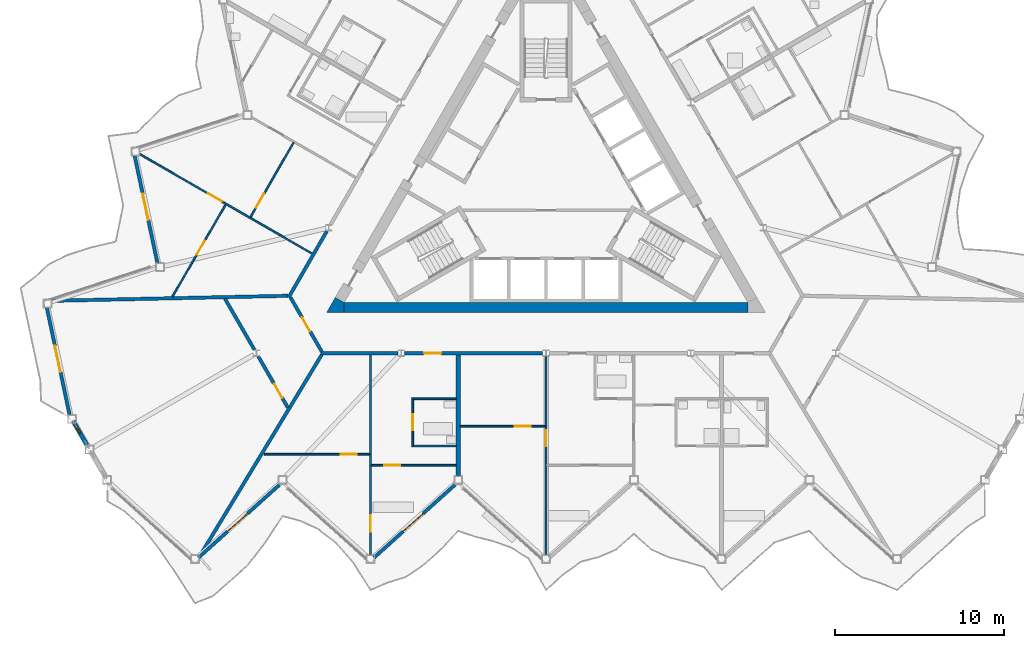
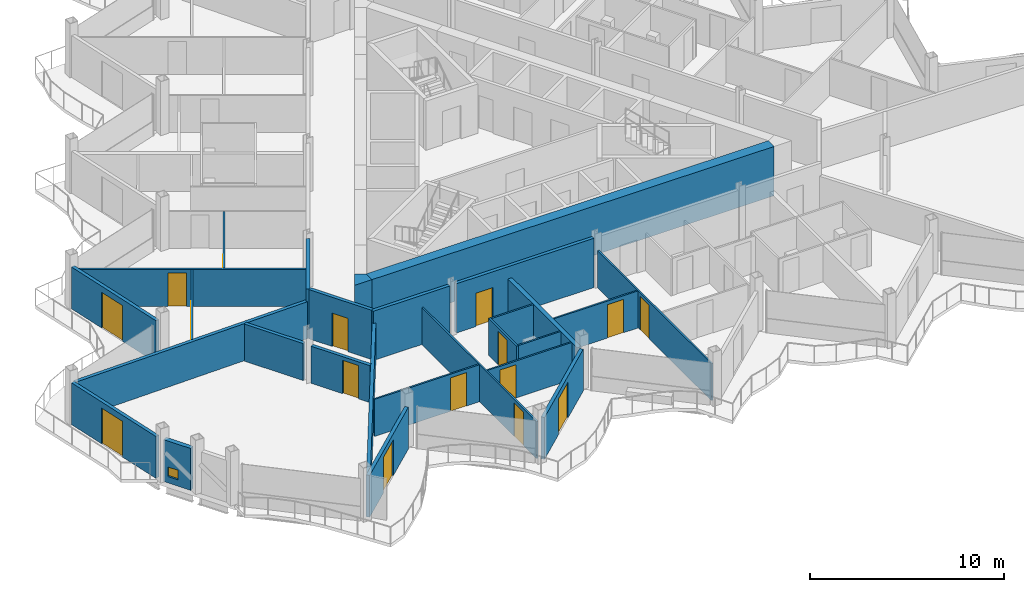
# One storey, part 12 of 25: 27 walls, 16 doors, 1 window, 17 openings.
"""IFC4 building model written with IfcOpenShell, lengths in metres."""

from ifc_helpers import new_model, si_unit, direction, frame, frame_2d, origin, place, context, subcontext, project, spatial, polyline, rectangle, outline, extrude, material, layer, layer_set, type_object, element, fill, save


model = new_model("IFC4")

# Units and contexts
model_context = context("Model", 3, precision=1e-05, world=origin(), true_north=direction((0.0, 1.0)))
body_context = subcontext(model_context, "Body", "Model", "MODEL_VIEW")
ifc_project = project(units=[si_unit("LENGTHUNIT", "METRE"), si_unit("AREAUNIT", "SQUARE_METRE"), si_unit("VOLUMEUNIT", "CUBIC_METRE"), si_unit("PLANEANGLEUNIT", "RADIAN"), si_unit("MASSUNIT", "GRAM", prefix="KILO")], contexts=[model_context])

# Site, building, storey
site_placement = place(None, origin())
site = spatial("IfcSite", under=ifc_project, at=site_placement, CompositionType="ELEMENT")
building_placement = place(site_placement, origin())
building = spatial("IfcBuilding", under=site, at=building_placement, Name="Cormorant Prow Tower", CompositionType="ELEMENT")
storey_placement = place(building_placement, frame((0.0, 0.0, 395.0)))
storey = spatial("IfcBuildingStorey", under=building, at=storey_placement, Name="L90", CompositionType="ELEMENT", Elevation=395.0)

# Walls
ifc_material_1 = material(Name="Concrete 8000 psi", Category="concrete")
ifc_layer_1 = layer(ifc_material_1, 0.60009765625)
ifc_layer_set_1 = layer_set([ifc_layer_1], Name="Concrete 8000 psi")
wall_type_1 = type_object("IfcWallType", Name="Core shear wall 600", PredefinedType="SHEAR", material=ifc_layer_set_1)
wall_1_placement = place(storey_placement, frame((-11.960693359375, -7.20556640625, 0.0), z_axis=(0.0, 0.0, 1.0), x_axis=(1.0, 0.0, 0.0)))
element("IfcWall", 1, at=wall_1_placement, inside=storey, type_object=wall_type_1, Name="Core wall", PredefinedType="SHEAR", context=body_context, shape_type="SweptSolid", body=[
    extrude(rectangle(XDim=23.92138671875, YDim=0.60009765625, at=frame_2d((11.960693359375, 0.0))), origin(), (0.0, 0.0, 1.0), 3.10009765625),
])
wall_2_placement = place(storey_placement, origin())
element("IfcWall", 2, at=wall_2_placement, inside=storey, type_object=wall_type_1, Name="Core wall corner", PredefinedType="SHEAR", context=body_context, shape_type="SweptSolid", body=[
    extrude(outline(polyline([(-12.48046875, -6.605712890625), (-11.960693359375, -6.905517578125), (-11.960693359375, -7.505615234375), (-13.0, -7.505615234375), (-12.48046875, -6.605712890625)])), origin(), (0.0, 0.0, 1.0), 3.10009765625),
])

# Wall, opening, door
ifc_material_2 = material(Name="Gypsum board corridor wall")
ifc_layer_2 = layer(ifc_material_2, 0.199951171875)
ifc_layer_set_2 = layer_set([ifc_layer_2], Name="Gypsum board corridor wall")
wall_type_2 = type_object("IfcWallType", Name="Corridor wall 200", PredefinedType="PARTITIONING", material=ifc_layer_set_2)
wall_3_placement = place(storey_placement, frame((-8.381591796875, -9.905517578125, 0.0), z_axis=(0.0, 0.0, 1.0), x_axis=(1.0, 0.0, 0.0)))
wall_3 = element("IfcWall", 3, at=wall_3_placement, inside=storey, type_object=wall_type_2, Name="Corridor wall", PredefinedType="PARTITIONING", context=body_context, shape_type="SweptSolid", body=[
    extrude(rectangle(XDim=8.1845703125, YDim=0.199951171875, at=frame_2d((4.09228515625, 0.0))), origin(), (0.0, 0.0, 1.0), 3.10009765625),
])
opening_1_placement = place(wall_3_placement, frame((1.16162109375, 0.0, 0.0)))
opening_1 = element("IfcOpeningElement", 4, at=opening_1_placement, cuts=wall_3, Name="Opening L90-F01", PredefinedType="OPENING", context=body_context, shape_type="SweptSolid", body=[
    extrude(rectangle(XDim=1.0, YDim=2.10009765625, at=frame_2d((0.5, 1.050048828125))), frame((0.0, 0.10986328125, 0.0), z_axis=(0.0, -1.0, 0.0), x_axis=(1.0, 0.0, 0.0)), (0.0, 0.0, 1.0), 0.219970703125),
])
ifc_material_3 = material(Name="Timber door leaf", Category="wood")
door_type_1 = type_object("IfcDoorType", Name="Flat or room entrance door 1000x2100", OperationType="NOTDEFINED", PredefinedType="DOOR", material=ifc_material_3)
door_1_placement = place(opening_1_placement, origin())
door_1 = element("IfcDoor", 5, at=door_1_placement, inside=storey, type_object=door_type_1, Name="Living room door", OperationType="SINGLE_SWING_RIGHT", OverallHeight=2.10009765625, OverallWidth=1.0, PredefinedType="DOOR", context=body_context, shape_type="SweptSolid", body=[
    extrude(rectangle(XDim=1.0, YDim=2.10009765625, at=frame_2d((0.5, 1.050048828125))), frame((0.0, 0.02490234375, 0.0), z_axis=(0.0, -1.0, 0.0), x_axis=(1.0, 0.0, 0.0)), (0.0, 0.0, 1.0), 0.050048828125),
])
fill(opening_1, door_1)

# Walls
wall_4_placement = place(storey_placement, frame((-13.330810546875, -9.905517578125, 0.0), z_axis=(0.0, 0.0, 1.0), x_axis=(1.0, 0.0, 0.0)))
element("IfcWall", 6, at=wall_4_placement, inside=storey, type_object=wall_type_2, Name="Corridor wall", PredefinedType="PARTITIONING", context=body_context, shape_type="SweptSolid", body=[
    extrude(rectangle(XDim=4.555419921875, YDim=0.199951171875, at=frame_2d((2.27783203125, 0.0))), origin(), (0.0, 0.0, 1.0), 3.10009765625),
])
wall_5_placement = place(storey_placement, frame((-15.243896484375, -6.59228515625, 0.0), z_axis=(0.0, 0.0, 1.0), x_axis=(0.499974648164, 0.866040040179, 0.0)))
element("IfcWall", 7, at=wall_5_placement, inside=storey, type_object=wall_type_2, Name="Corridor wall", PredefinedType="PARTITIONING", context=body_context, shape_type="SweptSolid", body=[
    extrude(rectangle(XDim=4.525146484375, YDim=0.199951171875, at=frame_2d((2.2626953125, 0.0))), origin(), (0.0, 0.0, 1.0), 3.10009765625),
])

# Wall, opening, door
wall_6_placement = place(storey_placement, frame((-15.143798828125, -6.59228515625, 0.0), z_axis=(0.0, 0.0, 1.0), x_axis=(0.499958791762, -0.866049194065, 0.0)))
wall_6 = element("IfcWall", 8, at=wall_6_placement, inside=storey, type_object=wall_type_2, Name="Corridor wall", PredefinedType="PARTITIONING", context=body_context, shape_type="SweptSolid", body=[
    extrude(rectangle(XDim=3.725830078125, YDim=0.199951171875, at=frame_2d((1.86279296875, 0.0))), origin(), (0.0, 0.0, 1.0), 3.10009765625),
])
opening_2_placement = place(wall_6_placement, frame((1.387939453125, 0.0, 0.0)))
opening_2 = element("IfcOpeningElement", 9, at=opening_2_placement, cuts=wall_6, Name="Opening L90-F50", PredefinedType="OPENING", context=body_context, shape_type="SweptSolid", body=[
    extrude(rectangle(XDim=0.949951171875, YDim=2.10009765625, at=frame_2d((0.47509765625, 1.050048828125))), frame((0.0, 0.10986328125, 0.0), z_axis=(0.0, -1.0, 0.0), x_axis=(1.0, 0.0, 0.0)), (0.0, 0.0, 1.0), 0.219970703125),
])
ifc_material_4 = material(Name="Timber door leaf", Category="wood")
door_type_2 = type_object("IfcDoorType", Name="Store door 950x2100", OperationType="NOTDEFINED", PredefinedType="DOOR", material=ifc_material_4)
door_2_placement = place(opening_2_placement, origin())
door_2 = element("IfcDoor", 10, at=door_2_placement, inside=storey, type_object=door_type_2, Name="Refuse room door", OperationType="SINGLE_SWING_LEFT", OverallHeight=2.10009765625, OverallWidth=0.949951171875, PredefinedType="DOOR", context=body_context, shape_type="SweptSolid", body=[
    extrude(rectangle(XDim=0.949951171875, YDim=2.10009765625, at=frame_2d((0.47509765625, 1.050048828125))), frame((0.0, 0.02490234375, 0.0), z_axis=(0.0, -1.0, 0.0), x_axis=(1.0, 0.0, 0.0)), (0.0, 0.0, 1.0), 0.050048828125),
])
fill(opening_2, door_2)

# Walls
ifc_material_5 = material(Name="Gypsum board demising wall")
ifc_layer_3 = layer(ifc_material_5, 0.199951171875)
ifc_layer_set_3 = layer_set([ifc_layer_3], Name="Gypsum board demising wall")
wall_type_3 = type_object("IfcWallType", Name="Demising wall 200", PredefinedType="PARTITIONING", material=ifc_layer_set_3)
wall_7_placement = place(storey_placement, frame((-20.353515625, -21.659912109375, 0.0), z_axis=(0.0, 0.0, 1.0), x_axis=(0.518240642668, 0.85523484277, 0.0)))
element("IfcWall", 11, at=wall_7_placement, inside=storey, type_object=wall_type_3, Name="Demising wall", PredefinedType="PARTITIONING", context=body_context, shape_type="SweptSolid", body=[
    extrude(rectangle(XDim=13.643798828125, YDim=0.199951171875, at=frame_2d((6.82177734375, 0.0))), origin(), (0.0, 0.0, 1.0), 2.330078125),
])
wall_8_placement = place(storey_placement, frame((-29.2685546875, -6.8037109375, 0.0), z_axis=(0.0, 0.0, 1.0), x_axis=(0.999775536303, 0.021186717777, 0.0)))
element("IfcWall", 12, at=wall_8_placement, inside=storey, type_object=wall_type_3, Name="Demising wall", PredefinedType="PARTITIONING", context=body_context, shape_type="SweptSolid", body=[
    extrude(rectangle(XDim=13.977783203125, YDim=0.199951171875, at=frame_2d((6.98876953125, 0.0))), origin(), (0.0, 0.0, 1.0), 2.330078125),
])

# Wall, opening, door
wall_9_placement = place(storey_placement, frame((-17.043212890625, -10.1025390625, 0.0), z_axis=(0.0, 0.0, 1.0), x_axis=(0.500005931509, -0.866021979199, 0.0)))
wall_9 = element("IfcWall", 13, at=wall_9_placement, inside=storey, type_object=wall_type_3, Name="Demising wall", PredefinedType="PARTITIONING", context=body_context, shape_type="SweptSolid", body=[
    extrude(rectangle(XDim=3.50390625, YDim=0.199951171875, at=frame_2d((1.751953125, 0.0))), origin(), (0.0, 0.0, 1.0), 2.330078125),
])
opening_3_placement = place(wall_9_placement, frame((1.89306640625, 0.0, 0.0)))
opening_3 = element("IfcOpeningElement", 14, at=opening_3_placement, cuts=wall_9, Name="Opening L90-F51", PredefinedType="OPENING", context=body_context, shape_type="SweptSolid", body=[
    extrude(rectangle(XDim=0.949951171875, YDim=2.10009765625, at=frame_2d((0.47509765625, 1.050048828125))), frame((0.0, 0.10986328125, 0.0), z_axis=(0.0, -1.0, 0.0), x_axis=(1.0, 0.0, 0.0)), (0.0, 0.0, 1.0), 0.219970703125),
])
door_3_placement = place(opening_3_placement, origin())
door_3 = element("IfcDoor", 15, at=door_3_placement, inside=storey, type_object=door_type_2, Name="Bicycle store door", OperationType="SINGLE_SWING_RIGHT", OverallHeight=2.10009765625, OverallWidth=0.949951171875, PredefinedType="DOOR", context=body_context, shape_type="SweptSolid", body=[
    extrude(rectangle(XDim=0.949951171875, YDim=2.10009765625, at=frame_2d((0.47509765625, 1.050048828125))), frame((0.0, 0.02490234375, 0.0), z_axis=(0.0, -1.0, 0.0), x_axis=(1.0, 0.0, 0.0)), (0.0, 0.0, 1.0), 0.050048828125),
])
fill(opening_3, door_3)

# Wall
wall_10_placement = place(storey_placement, frame((-19.0224609375, -6.67431640625, 0.0), z_axis=(0.0, 0.0, 1.0), x_axis=(0.499983843005, -0.866034731829, 0.0)))
element("IfcWall", 16, at=wall_10_placement, inside=storey, type_object=wall_type_3, Name="Demising wall", PredefinedType="PARTITIONING", context=body_context, shape_type="SweptSolid", body=[
    extrude(rectangle(XDim=3.50341796875, YDim=0.199951171875, at=frame_2d((1.751708984375, 0.0))), origin(), (0.0, 0.0, 1.0), 2.330078125),
])

# Wall, opening, door
ifc_material_6 = material(Name="Gypsum board partition")
ifc_layer_4 = layer(ifc_material_6, 0.10009765625)
ifc_layer_set_4 = layer_set([ifc_layer_4], Name="Gypsum board partition")
wall_type_4 = type_object("IfcWallType", Name="Internal partition 100", PredefinedType="PARTITIONING", material=ifc_layer_set_4)
wall_11_placement = place(storey_placement, frame((-10.39990234375, -21.827880859375, 0.0), z_axis=(0.0, 0.0, 1.0), x_axis=(0.0, 1.0, 0.0)))
wall_11 = element("IfcWall", 17, at=wall_11_placement, inside=storey, type_object=wall_type_4, Name="Internal partition", PredefinedType="PARTITIONING", context=body_context, shape_type="SweptSolid", body=[
    extrude(rectangle(XDim=11.822265625, YDim=0.10009765625, at=frame_2d((5.9111328125, 0.0))), origin(), (0.0, 0.0, 1.0), 2.330078125),
])
opening_4_placement = place(wall_11_placement, frame((1.357666015625, 0.0, 0.0)))
opening_4 = element("IfcOpeningElement", 18, at=opening_4_placement, cuts=wall_11, Name="Opening L90-F04", PredefinedType="OPENING", context=body_context, shape_type="SweptSolid", body=[
    extrude(rectangle(XDim=0.949951171875, YDim=2.10009765625, at=frame_2d((0.47509765625, 1.050048828125))), frame((0.0, 0.06005859375, 0.0), z_axis=(0.0, -1.0, 0.0), x_axis=(1.0, 0.0, 0.0)), (0.0, 0.0, 1.0), 0.1201171875),
])
ifc_material_7 = material(Name="Timber door leaf", Category="wood")
door_type_3 = type_object("IfcDoorType", Name="Bathroom door 950x2100", OperationType="NOTDEFINED", PredefinedType="DOOR", material=ifc_material_7)
door_4_placement = place(opening_4_placement, origin())
door_4 = element("IfcDoor", 19, at=door_4_placement, inside=storey, type_object=door_type_3, Name="Kitchen door", OperationType="SINGLE_SWING_LEFT", OverallHeight=2.10009765625, OverallWidth=0.949951171875, PredefinedType="DOOR", context=body_context, shape_type="SweptSolid", body=[
    extrude(rectangle(XDim=0.949951171875, YDim=2.10009765625, at=frame_2d((0.47509765625, 1.050048828125))), frame((0.0, 0.02490234375, 0.0), z_axis=(0.0, -1.0, 0.0), x_axis=(1.0, 0.0, 0.0)), (0.0, 0.0, 1.0), 0.050048828125),
])
fill(opening_4, door_4)

wall_12_placement = place(storey_placement, frame((-24.068603515625, 1.88720703125, 0.0), z_axis=(0.0, 0.0, 1.0), x_axis=(0.866023404247, -0.500003463284, 0.0)))
wall_12 = element("IfcWall", 20, at=wall_12_placement, inside=storey, type_object=wall_type_4, Name="Internal partition", PredefinedType="PARTITIONING", context=body_context, shape_type="SweptSolid", body=[
    extrude(rectangle(XDim=11.7822265625, YDim=0.10009765625, at=frame_2d((5.89111328125, 0.0))), origin(), (0.0, 0.0, 1.0), 2.330078125),
])
opening_5_placement = place(wall_12_placement, frame((4.66357421875, 0.0, 0.0)))
opening_5 = element("IfcOpeningElement", 21, at=opening_5_placement, cuts=wall_12, Name="Opening L90-F47", PredefinedType="OPENING", context=body_context, shape_type="SweptSolid", body=[
    extrude(rectangle(XDim=0.949951171875, YDim=2.10009765625, at=frame_2d((0.47509765625, 1.050048828125))), frame((0.0, 0.06005859375, 0.0), z_axis=(0.0, -1.0, 0.0), x_axis=(1.0, 0.0, 0.0)), (0.0, 0.0, 1.0), 0.1201171875),
])
door_5_placement = place(opening_5_placement, origin())
door_5 = element("IfcDoor", 22, at=door_5_placement, inside=storey, type_object=door_type_3, Name="Bedroom door", OperationType="SINGLE_SWING_RIGHT", OverallHeight=2.10009765625, OverallWidth=0.949951171875, PredefinedType="DOOR", context=body_context, shape_type="SweptSolid", body=[
    extrude(rectangle(XDim=0.949951171875, YDim=2.10009765625, at=frame_2d((0.47509765625, 1.050048828125))), frame((0.0, 0.02490234375, 0.0), z_axis=(0.0, -1.0, 0.0), x_axis=(1.0, 0.0, 0.0)), (0.0, 0.0, 1.0), 0.050048828125),
])
fill(opening_5, door_5)

wall_13_placement = place(storey_placement, frame((0.0, -21.827880859375, 0.0), z_axis=(0.0, 0.0, 1.0), x_axis=(0.0, 1.0, 0.0)))
wall_13 = element("IfcWall", 23, at=wall_13_placement, inside=storey, type_object=wall_type_4, Name="Internal partition", PredefinedType="PARTITIONING", context=body_context, shape_type="SweptSolid", body=[
    extrude(rectangle(XDim=11.725341796875, YDim=0.10009765625, at=frame_2d((5.86279296875, 0.0))), origin(), (0.0, 0.0, 1.0), 2.330078125),
])
opening_6_placement = place(wall_13_placement, frame((6.39501953125, 0.0, 0.0)))
opening_6 = element("IfcOpeningElement", 24, at=opening_6_placement, cuts=wall_13, Name="Opening L90-F09", PredefinedType="OPENING", context=body_context, shape_type="SweptSolid", body=[
    extrude(rectangle(XDim=0.949951171875, YDim=2.10009765625, at=frame_2d((0.47509765625, 1.050048828125))), frame((0.0, 0.06005859375, 0.0), z_axis=(0.0, -1.0, 0.0), x_axis=(1.0, 0.0, 0.0)), (0.0, 0.0, 1.0), 0.1201171875),
])
door_6_placement = place(opening_6_placement, origin())
door_6 = element("IfcDoor", 25, at=door_6_placement, inside=storey, type_object=door_type_3, Name="Living room door", OperationType="SINGLE_SWING_RIGHT", OverallHeight=2.10009765625, OverallWidth=0.949951171875, PredefinedType="DOOR", context=body_context, shape_type="SweptSolid", body=[
    extrude(rectangle(XDim=0.949951171875, YDim=2.10009765625, at=frame_2d((0.47509765625, 1.050048828125))), frame((0.0, 0.02490234375, 0.0), z_axis=(0.0, -1.0, 0.0), x_axis=(1.0, 0.0, 0.0)), (0.0, 0.0, 1.0), 0.050048828125),
])
fill(opening_6, door_6)

wall_14_placement = place(storey_placement, frame((-22.135986328125, -6.56689453125, 0.0), z_axis=(0.0, 0.0, 1.0), x_axis=(0.500016298831, 0.866015993445, 0.0)))
wall_14 = element("IfcWall", 26, at=wall_14_placement, inside=storey, type_object=wall_type_4, Name="Internal partition", PredefinedType="PARTITIONING", context=body_context, shape_type="SweptSolid", body=[
    extrude(rectangle(XDim=6.304931640625, YDim=0.10009765625, at=frame_2d((3.15234375, 0.0))), origin(), (0.0, 0.0, 1.0), 2.330078125),
])
opening_7_placement = place(wall_14_placement, frame((2.8798828125, 0.0, 0.0)))
opening_7 = element("IfcOpeningElement", 27, at=opening_7_placement, cuts=wall_14, Name="Opening L90-F48", PredefinedType="OPENING", context=body_context, shape_type="SweptSolid", body=[
    extrude(rectangle(XDim=0.949951171875, YDim=2.10009765625, at=frame_2d((0.47509765625, 1.050048828125))), frame((0.0, 0.06005859375, 0.0), z_axis=(0.0, -1.0, 0.0), x_axis=(1.0, 0.0, 0.0)), (0.0, 0.0, 1.0), 0.1201171875),
])
door_7_placement = place(opening_7_placement, origin())
door_7 = element("IfcDoor", 28, at=door_7_placement, inside=storey, type_object=door_type_3, Name="Bedroom door", OperationType="SINGLE_SWING_RIGHT", OverallHeight=2.10009765625, OverallWidth=0.949951171875, PredefinedType="DOOR", context=body_context, shape_type="SweptSolid", body=[
    extrude(rectangle(XDim=0.949951171875, YDim=2.10009765625, at=frame_2d((0.47509765625, 1.050048828125))), frame((0.0, 0.02490234375, 0.0), z_axis=(0.0, -1.0, 0.0), x_axis=(1.0, 0.0, 0.0)), (0.0, 0.0, 1.0), 0.050048828125),
])
fill(opening_7, door_7)

wall_15_placement = place(storey_placement, frame((-16.685302734375, -15.888671875, 0.0), z_axis=(0.0, 0.0, 1.0), x_axis=(1.0, 0.0, 0.0)))
wall_15 = element("IfcWall", 29, at=wall_15_placement, inside=storey, type_object=wall_type_4, Name="Internal partition", PredefinedType="PARTITIONING", context=body_context, shape_type="SweptSolid", body=[
    extrude(rectangle(XDim=6.2353515625, YDim=0.10009765625, at=frame_2d((3.11767578125, 0.0))), origin(), (0.0, 0.0, 1.0), 2.330078125),
])
opening_8_placement = place(wall_15_placement, frame((4.5263671875, 0.0, 0.0)))
opening_8 = element("IfcOpeningElement", 30, at=opening_8_placement, cuts=wall_15, Name="Opening L90-F05", PredefinedType="OPENING", context=body_context, shape_type="SweptSolid", body=[
    extrude(rectangle(XDim=0.949951171875, YDim=2.10009765625, at=frame_2d((0.47509765625, 1.050048828125))), frame((0.0, 0.06005859375, 0.0), z_axis=(0.0, -1.0, 0.0), x_axis=(1.0, 0.0, 0.0)), (0.0, 0.0, 1.0), 0.1201171875),
])
door_8_placement = place(opening_8_placement, origin())
door_8 = element("IfcDoor", 31, at=door_8_placement, inside=storey, type_object=door_type_3, Name="Bedroom door", OperationType="SINGLE_SWING_RIGHT", OverallHeight=2.10009765625, OverallWidth=0.949951171875, PredefinedType="DOOR", context=body_context, shape_type="SweptSolid", body=[
    extrude(rectangle(XDim=0.949951171875, YDim=2.10009765625, at=frame_2d((0.47509765625, 1.050048828125))), frame((0.0, 0.02490234375, 0.0), z_axis=(0.0, -1.0, 0.0), x_axis=(1.0, 0.0, 0.0)), (0.0, 0.0, 1.0), 0.050048828125),
])
fill(opening_8, door_8)

wall_16_placement = place(storey_placement, frame((-10.35009765625, -16.544189453125, 0.0), z_axis=(0.0, 0.0, 1.0), x_axis=(1.0, 0.0, 0.0)))
wall_16 = element("IfcWall", 32, at=wall_16_placement, inside=storey, type_object=wall_type_4, Name="Internal partition", PredefinedType="PARTITIONING", context=body_context, shape_type="SweptSolid", body=[
    extrude(rectangle(XDim=5.025146484375, YDim=0.10009765625, at=frame_2d((2.5126953125, 0.0))), origin(), (0.0, 0.0, 1.0), 2.330078125),
])
opening_9_placement = place(wall_16_placement, frame((0.7607421875, 0.0, 0.0)))
opening_9 = element("IfcOpeningElement", 33, at=opening_9_placement, cuts=wall_16, Name="Opening L90-F03", PredefinedType="OPENING", context=body_context, shape_type="SweptSolid", body=[
    extrude(rectangle(XDim=0.949951171875, YDim=2.10009765625, at=frame_2d((0.47509765625, 1.050048828125))), frame((0.0, 0.06005859375, 0.0), z_axis=(0.0, -1.0, 0.0), x_axis=(1.0, 0.0, 0.0)), (0.0, 0.0, 1.0), 0.1201171875),
])
door_9_placement = place(opening_9_placement, origin())
door_9 = element("IfcDoor", 34, at=door_9_placement, inside=storey, type_object=door_type_3, Name="Living room door", OperationType="SINGLE_SWING_LEFT", OverallHeight=2.10009765625, OverallWidth=0.949951171875, PredefinedType="DOOR", context=body_context, shape_type="SweptSolid", body=[
    extrude(rectangle(XDim=0.949951171875, YDim=2.10009765625, at=frame_2d((0.47509765625, 1.050048828125))), frame((0.0, 0.02490234375, 0.0), z_axis=(0.0, -1.0, 0.0), x_axis=(1.0, 0.0, 0.0)), (0.0, 0.0, 1.0), 0.050048828125),
])
fill(opening_9, door_9)

wall_17_placement = place(storey_placement, frame((-5.074951171875, -14.236572265625, 0.0), z_axis=(0.0, 0.0, 1.0), x_axis=(1.0, 0.0, 0.0)))
wall_17 = element("IfcWall", 35, at=wall_17_placement, inside=storey, type_object=wall_type_4, Name="Internal partition", PredefinedType="PARTITIONING", context=body_context, shape_type="SweptSolid", body=[
    extrude(rectangle(XDim=5.02490234375, YDim=0.10009765625, at=frame_2d((2.512451171875, 0.0))), origin(), (0.0, 0.0, 1.0), 2.330078125),
])
opening_10_placement = place(wall_17_placement, frame((3.212158203125, 0.0, 0.0)))
opening_10 = element("IfcOpeningElement", 36, at=opening_10_placement, cuts=wall_17, Name="Opening L90-F10", PredefinedType="OPENING", context=body_context, shape_type="SweptSolid", body=[
    extrude(rectangle(XDim=0.949951171875, YDim=2.10009765625, at=frame_2d((0.47509765625, 1.050048828125))), frame((0.0, 0.06005859375, 0.0), z_axis=(0.0, -1.0, 0.0), x_axis=(1.0, 0.0, 0.0)), (0.0, 0.0, 1.0), 0.1201171875),
])
door_10_placement = place(opening_10_placement, origin())
door_10 = element("IfcDoor", 37, at=door_10_placement, inside=storey, type_object=door_type_3, Name="Bedroom door", OperationType="SINGLE_SWING_RIGHT", OverallHeight=2.10009765625, OverallWidth=0.949951171875, PredefinedType="DOOR", context=body_context, shape_type="SweptSolid", body=[
    extrude(rectangle(XDim=0.949951171875, YDim=2.10009765625, at=frame_2d((0.47509765625, 1.050048828125))), frame((0.0, 0.02490234375, 0.0), z_axis=(0.0, -1.0, 0.0), x_axis=(1.0, 0.0, 0.0)), (0.0, 0.0, 1.0), 0.050048828125),
])
fill(opening_10, door_10)

wall_18_placement = place(storey_placement, frame((-17.50439453125, -1.84521484375, 0.0), z_axis=(0.0, 0.0, 1.0), x_axis=(0.499984882974, 0.866034131428, 0.0)))
wall_18 = element("IfcWall", 38, at=wall_18_placement, inside=storey, type_object=wall_type_4, Name="Internal partition", PredefinedType="PARTITIONING", context=body_context, shape_type="SweptSolid", body=[
    extrude(rectangle(XDim=5.100341796875, YDim=0.10009765625, at=frame_2d((2.55029296875, 0.0))), origin(), (0.0, 0.0, 1.0), 2.330078125),
])
opening_11_placement = place(wall_18_placement, frame((0.655517578125, 0.0, 0.0)))
opening_11 = element("IfcOpeningElement", 39, at=opening_11_placement, cuts=wall_18, Name="Opening L90-F46", PredefinedType="OPENING", context=body_context, shape_type="SweptSolid", body=[
    extrude(rectangle(XDim=0.949951171875, YDim=2.10009765625, at=frame_2d((0.47509765625, 1.050048828125))), frame((0.0, 0.06005859375, 0.0), z_axis=(0.0, -1.0, 0.0), x_axis=(1.0, 0.0, 0.0)), (0.0, 0.0, 1.0), 0.1201171875),
])
door_11_placement = place(opening_11_placement, origin())
door_11 = element("IfcDoor", 40, at=door_11_placement, inside=storey, type_object=door_type_3, Name="Bedroom door", OperationType="SINGLE_SWING_LEFT", OverallHeight=2.10009765625, OverallWidth=0.949951171875, PredefinedType="DOOR", context=body_context, shape_type="SweptSolid", body=[
    extrude(rectangle(XDim=0.949951171875, YDim=2.10009765625, at=frame_2d((0.47509765625, 1.050048828125))), frame((0.0, 0.02490234375, 0.0), z_axis=(0.0, -1.0, 0.0), x_axis=(1.0, 0.0, 0.0)), (0.0, 0.0, 1.0), 0.050048828125),
])
fill(opening_11, door_11)

wall_19_placement = place(storey_placement, frame((-7.89990234375, -15.45556640625, 0.0), z_axis=(0.0, 0.0, 1.0), x_axis=(0.0, 1.0, 0.0)))
wall_19 = element("IfcWall", 41, at=wall_19_placement, inside=storey, type_object=wall_type_4, Name="Internal partition", PredefinedType="PARTITIONING", context=body_context, shape_type="SweptSolid", body=[
    extrude(rectangle(XDim=2.89990234375, YDim=0.10009765625, at=frame_2d((1.449951171875, 0.0))), origin(), (0.0, 0.0, 1.0), 2.330078125),
])
opening_12_placement = place(wall_19_placement, frame((0.97509765625, 0.0, 0.0)))
opening_12 = element("IfcOpeningElement", 42, at=opening_12_placement, cuts=wall_19, Name="Opening L90-F02", PredefinedType="OPENING", context=body_context, shape_type="SweptSolid", body=[
    extrude(rectangle(XDim=0.949951171875, YDim=2.10009765625, at=frame_2d((0.47509765625, 1.050048828125))), frame((0.0, 0.06005859375, 0.0), z_axis=(0.0, -1.0, 0.0), x_axis=(1.0, 0.0, 0.0)), (0.0, 0.0, 1.0), 0.1201171875),
])
door_12_placement = place(opening_12_placement, origin())
door_12 = element("IfcDoor", 43, at=door_12_placement, inside=storey, type_object=door_type_3, Name="Living room door", OperationType="SINGLE_SWING_RIGHT", OverallHeight=2.10009765625, OverallWidth=0.949951171875, PredefinedType="DOOR", context=body_context, shape_type="SweptSolid", body=[
    extrude(rectangle(XDim=0.949951171875, YDim=2.10009765625, at=frame_2d((0.47509765625, 1.050048828125))), frame((0.0, 0.02490234375, 0.0), z_axis=(0.0, -1.0, 0.0), x_axis=(1.0, 0.0, 0.0)), (0.0, 0.0, 1.0), 0.050048828125),
])
fill(opening_12, door_12)

# Walls
for number, where, z_axis, x_axis, name in (
    (44, (-7.85009765625, -12.605712890625, 0.0), (0.0, 0.0, 1.0), (1.0, 0.0, 0.0), "Internal partition"),
    (45, (-7.85009765625, -15.405517578125, 0.0), (0.0, 0.0, 1.0), (1.0, 0.0, 0.0), "Internal partition"),
):
    element("IfcWall", number, at=place(storey_placement, frame(where, z_axis=z_axis, x_axis=x_axis)), inside=storey, type_object=wall_type_4, Name=name, PredefinedType="PARTITIONING", context=body_context, shape_type="SweptSolid", body=[
        extrude(rectangle(XDim=2.525146484375, YDim=0.10009765625, at=frame_2d((1.2626953125, 0.0))), origin(), (0.0, 0.0, 1.0), 2.330078125),
    ])
ifc_material_8 = material(Name="Acoustic gypsum party wall")
ifc_layer_5 = layer(ifc_material_8, 0.25)
ifc_layer_set_5 = layer_set([ifc_layer_5], Name="Acoustic gypsum party wall")
wall_type_5 = type_object("IfcWallType", Name="Suite party wall 250", PredefinedType="PARTITIONING", material=ifc_layer_set_5)
wall_20_placement = place(storey_placement, frame((-5.199951171875, -17.145751953125, 0.0), z_axis=(0.0, 0.0, 1.0), x_axis=(0.0, 1.0, 0.0)))
element("IfcWall", 46, at=wall_20_placement, inside=storey, type_object=wall_type_5, Name="Suite party wall", PredefinedType="PARTITIONING", context=body_context, shape_type="SweptSolid", body=[
    extrude(rectangle(XDim=7.14013671875, YDim=0.25, at=frame_2d((3.570068359375, 0.0))), origin(), (0.0, 0.0, 1.0), 2.330078125),
])

# Wall, opening, window
ifc_material_9 = material(Name="Terracotta", Category="masonry")
ifc_layer_6 = layer(ifc_material_9, 0.25)
ifc_layer_set_6 = layer_set([ifc_layer_6], Name="Terracotta")
wall_type_6 = type_object("IfcWallType", Name="Terracotta bay wall 250", PredefinedType="SOLIDWALL", material=ifc_layer_set_6)
wall_21_placement = place(storey_placement, frame((-28.0068359375, -13.938720703125, 0.0), z_axis=(0.0, 0.0, 1.0), x_axis=(0.499967189098, -0.866044346339, 0.0)))
wall_21 = element("IfcWall", 47, at=wall_21_placement, inside=storey, type_object=wall_type_6, Name="Terracotta bay wall WSW00", PredefinedType="SOLIDWALL", context=body_context, shape_type="SweptSolid", body=[
    extrude(rectangle(XDim=1.61181640625, YDim=0.25, at=frame_2d((0.805908203125, 0.0))), origin(), (0.0, 0.0, 1.0), 2.6337890625),
])
opening_13_placement = place(wall_21_placement, frame((0.25, 0.0, 0.39990234375)))
opening_13 = element("IfcOpeningElement", 48, at=opening_13_placement, cuts=wall_21, Name="Opening WN10", PredefinedType="OPENING", context=body_context, shape_type="SweptSolid", body=[
    extrude(rectangle(XDim=0.60009765625, YDim=0.60009765625, at=frame_2d((0.300048828125, 0.300048828125))), frame((0.0, 0.135009765625, 0.0), z_axis=(0.0, -1.0, 0.0), x_axis=(1.0, 0.0, 0.0)), (0.0, 0.0, 1.0), 0.27001953125),
])
ifc_material_10 = material(Name="Aluminium 6063-T6", Category="aluminium")
window_type = type_object("IfcWindowType", Name="Corner bay window 600x600", PartitioningType="SINGLE_PANEL", PredefinedType="WINDOW", material=ifc_material_10)
window_placement = place(opening_13_placement, origin())
window = element("IfcWindow", 49, at=window_placement, inside=storey, type_object=window_type, Name="Corner bay window WSW00", OverallHeight=0.60009765625, OverallWidth=0.60009765625, PartitioningType="SINGLE_PANEL", PredefinedType="WINDOW", context=body_context, shape_type="SweptSolid", body=[
    extrude(rectangle(XDim=0.60009765625, YDim=0.60009765625, at=frame_2d((0.300048828125, 0.300048828125))), frame((0.0, 0.030029296875, 0.0), z_axis=(0.0, -1.0, 0.0), x_axis=(1.0, 0.0, 0.0)), (0.0, 0.0, 1.0), 0.06005859375),
])
fill(opening_13, window)

# Wall, opening, door
ifc_material_11 = material(Name="Terracotta", Category="masonry")
ifc_layer_7 = layer(ifc_material_11, 0.199951171875)
ifc_layer_set_7 = layer_set([ifc_layer_7], Name="Terracotta")
wall_type_7 = type_object("IfcWallType", Name="Terracotta jamb wall 200", PredefinedType="SOLIDWALL", material=ifc_layer_set_7)
wall_22_placement = place(storey_placement, frame((-20.594970703125, -22.027587890625, 0.0), z_axis=(0.0, 0.0, 1.0), x_axis=(0.743153126052, 0.669121387522, 0.0)))
wall_22 = element("IfcWall", 50, at=wall_22_placement, inside=storey, type_object=wall_type_7, Name="Terracotta jamb wall S01", PredefinedType="SOLIDWALL", context=body_context, shape_type="SweptSolid", body=[
    extrude(rectangle(XDim=6.45703125, YDim=0.199951171875, at=frame_2d((3.228515625, 0.0))), origin(), (0.0, 0.0, 1.0), 2.6337890625),
])
opening_14_placement = place(wall_22_placement, frame((2.332763671875, 0.0, 0.0)))
opening_14 = element("IfcOpeningElement", 51, at=opening_14_placement, cuts=wall_22, Name="Opening ED90.01", PredefinedType="OPENING", context=body_context, shape_type="SweptSolid", body=[
    extrude(rectangle(XDim=1.60009765625, YDim=2.25, at=frame_2d((0.800048828125, 1.125))), frame((0.0, 0.10986328125, 0.0), z_axis=(0.0, -1.0, 0.0), x_axis=(1.0, 0.0, 0.0)), (0.0, 0.0, 1.0), 0.219970703125),
])
ifc_material_12 = material(Name="Aluminium 6063-T6", Category="aluminium")
door_type_4 = type_object("IfcDoorType", Name="Balcony door 1600x2250", OperationType="DOUBLE_DOOR_SINGLE_SWING", PredefinedType="DOOR", material=ifc_material_12)
door_13_placement = place(opening_14_placement, origin())
door_13 = element("IfcDoor", 52, at=door_13_placement, inside=storey, type_object=door_type_4, Name="Balcony door S01 ED90.01", OperationType="DOUBLE_DOOR_SINGLE_SWING", OverallHeight=2.25, OverallWidth=1.60009765625, PredefinedType="DOOR", context=body_context, shape_type="SweptSolid", body=[
    extrude(rectangle(XDim=1.60009765625, YDim=2.25, at=frame_2d((0.800048828125, 1.125))), frame((0.0, 0.02490234375, 0.0), z_axis=(0.0, -1.0, 0.0), x_axis=(1.0, 0.0, 0.0)), (0.0, 0.0, 1.0), 0.050048828125),
])
fill(opening_14, door_13)

wall_23_placement = place(storey_placement, frame((-10.19482421875, -22.027587890625, 0.0), z_axis=(0.0, 0.0, 1.0), x_axis=(0.743136196971, 0.669140189162, 0.0)))
wall_23 = element("IfcWall", 53, at=wall_23_placement, inside=storey, type_object=wall_type_7, Name="Terracotta jamb wall S03", PredefinedType="SOLIDWALL", context=body_context, shape_type="SweptSolid", body=[
    extrude(rectangle(XDim=6.456787109375, YDim=0.199951171875, at=frame_2d((3.228515625, 0.0))), origin(), (0.0, 0.0, 1.0), 2.6337890625),
])
opening_15_placement = place(wall_23_placement, frame((2.332763671875, 0.0, 0.0)))
opening_15 = element("IfcOpeningElement", 54, at=opening_15_placement, cuts=wall_23, Name="Opening ED90.02", PredefinedType="OPENING", context=body_context, shape_type="SweptSolid", body=[
    extrude(rectangle(XDim=1.60009765625, YDim=2.25, at=frame_2d((0.800048828125, 1.125))), frame((0.0, 0.10986328125, 0.0), z_axis=(0.0, -1.0, 0.0), x_axis=(1.0, 0.0, 0.0)), (0.0, 0.0, 1.0), 0.219970703125),
])
door_14_placement = place(opening_15_placement, origin())
door_14 = element("IfcDoor", 55, at=door_14_placement, inside=storey, type_object=door_type_4, Name="Balcony door S03 ED90.02", OperationType="DOUBLE_DOOR_SINGLE_SWING", OverallHeight=2.25, OverallWidth=1.60009765625, PredefinedType="DOOR", context=body_context, shape_type="SweptSolid", body=[
    extrude(rectangle(XDim=1.60009765625, YDim=2.25, at=frame_2d((0.800048828125, 1.125))), frame((0.0, 0.02490234375, 0.0), z_axis=(0.0, -1.0, 0.0), x_axis=(1.0, 0.0, 0.0)), (0.0, 0.0, 1.0), 0.050048828125),
])
fill(opening_15, door_14)

wall_24_placement = place(storey_placement, frame((-24.379150390625, 1.82958984375, 0.0), z_axis=(0.0, 0.0, 1.0), x_axis=(0.207910765171, -0.978147797486, 0.0)))
wall_24 = element("IfcWall", 56, at=wall_24_placement, inside=storey, type_object=wall_type_7, Name="Terracotta jamb wall WNW07", PredefinedType="SOLIDWALL", context=body_context, shape_type="SweptSolid", body=[
    extrude(rectangle(XDim=6.512451171875, YDim=0.199951171875, at=frame_2d((3.25634765625, 0.0))), origin(), (0.0, 0.0, 1.0), 2.6337890625),
])
opening_16_placement = place(wall_24_placement, frame((2.332763671875, 0.0, 0.0)))
opening_16 = element("IfcOpeningElement", 57, at=opening_16_placement, cuts=wall_24, Name="Opening ED90.14", PredefinedType="OPENING", context=body_context, shape_type="SweptSolid", body=[
    extrude(rectangle(XDim=1.60009765625, YDim=2.25, at=frame_2d((0.800048828125, 1.125))), frame((0.0, 0.10986328125, 0.0), z_axis=(0.0, -1.0, 0.0), x_axis=(1.0, 0.0, 0.0)), (0.0, 0.0, 1.0), 0.219970703125),
])
door_15_placement = place(opening_16_placement, origin())
door_15 = element("IfcDoor", 58, at=door_15_placement, inside=storey, type_object=door_type_4, Name="Balcony door WNW07 ED90.14", OperationType="DOUBLE_DOOR_SINGLE_SWING", OverallHeight=2.25, OverallWidth=1.60009765625, PredefinedType="DOOR", context=body_context, shape_type="SweptSolid", body=[
    extrude(rectangle(XDim=1.60009765625, YDim=2.25, at=frame_2d((0.800048828125, 1.125))), frame((0.0, 0.02490234375, 0.0), z_axis=(0.0, -1.0, 0.0), x_axis=(1.0, 0.0, 0.0)), (0.0, 0.0, 1.0), 0.050048828125),
])
fill(opening_16, door_15)

wall_25_placement = place(storey_placement, frame((-29.5791015625, -7.177001953125, 0.0), z_axis=(0.0, 0.0, 1.0), x_axis=(0.207910765171, -0.978147797486, 0.0)))
wall_25 = element("IfcWall", 59, at=wall_25_placement, inside=storey, type_object=wall_type_7, Name="Terracotta jamb wall WNW09", PredefinedType="SOLIDWALL", context=body_context, shape_type="SweptSolid", body=[
    extrude(rectangle(XDim=6.512451171875, YDim=0.199951171875, at=frame_2d((3.25634765625, 0.0))), origin(), (0.0, 0.0, 1.0), 2.6337890625),
])
opening_17_placement = place(wall_25_placement, frame((2.332763671875, 0.0, 0.0)))
opening_17 = element("IfcOpeningElement", 60, at=opening_17_placement, cuts=wall_25, Name="Opening ED90.15", PredefinedType="OPENING", context=body_context, shape_type="SweptSolid", body=[
    extrude(rectangle(XDim=1.60009765625, YDim=2.25, at=frame_2d((0.800048828125, 1.125))), frame((0.0, 0.10986328125, 0.0), z_axis=(0.0, -1.0, 0.0), x_axis=(1.0, 0.0, 0.0)), (0.0, 0.0, 1.0), 0.219970703125),
])
door_16_placement = place(opening_17_placement, origin())
door_16 = element("IfcDoor", 61, at=door_16_placement, inside=storey, type_object=door_type_4, Name="Balcony door WNW09 ED90.15", OperationType="DOUBLE_DOOR_SINGLE_SWING", OverallHeight=2.25, OverallWidth=1.60009765625, PredefinedType="DOOR", context=body_context, shape_type="SweptSolid", body=[
    extrude(rectangle(XDim=1.60009765625, YDim=2.25, at=frame_2d((0.800048828125, 1.125))), frame((0.0, 0.02490234375, 0.0), z_axis=(0.0, -1.0, 0.0), x_axis=(1.0, 0.0, 0.0)), (0.0, 0.0, 1.0), 0.050048828125),
])
fill(opening_17, door_16)

save(model, "model.ifc")
